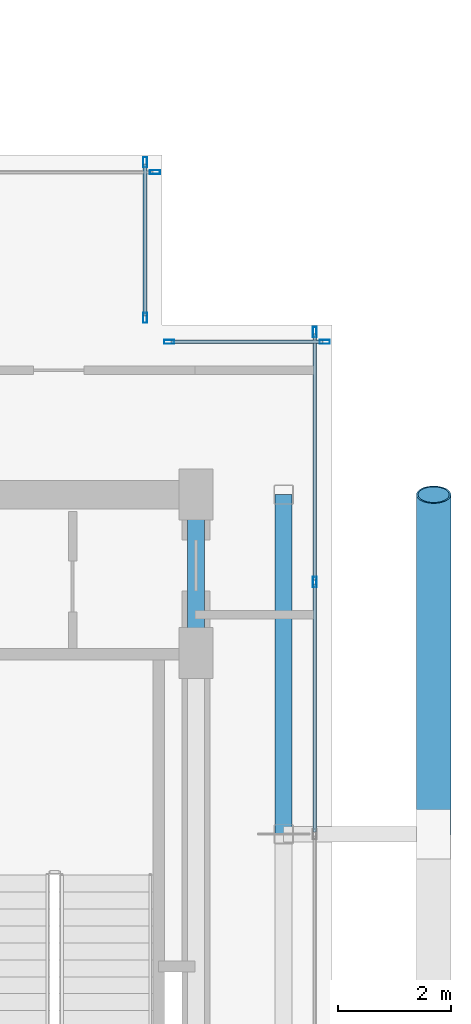
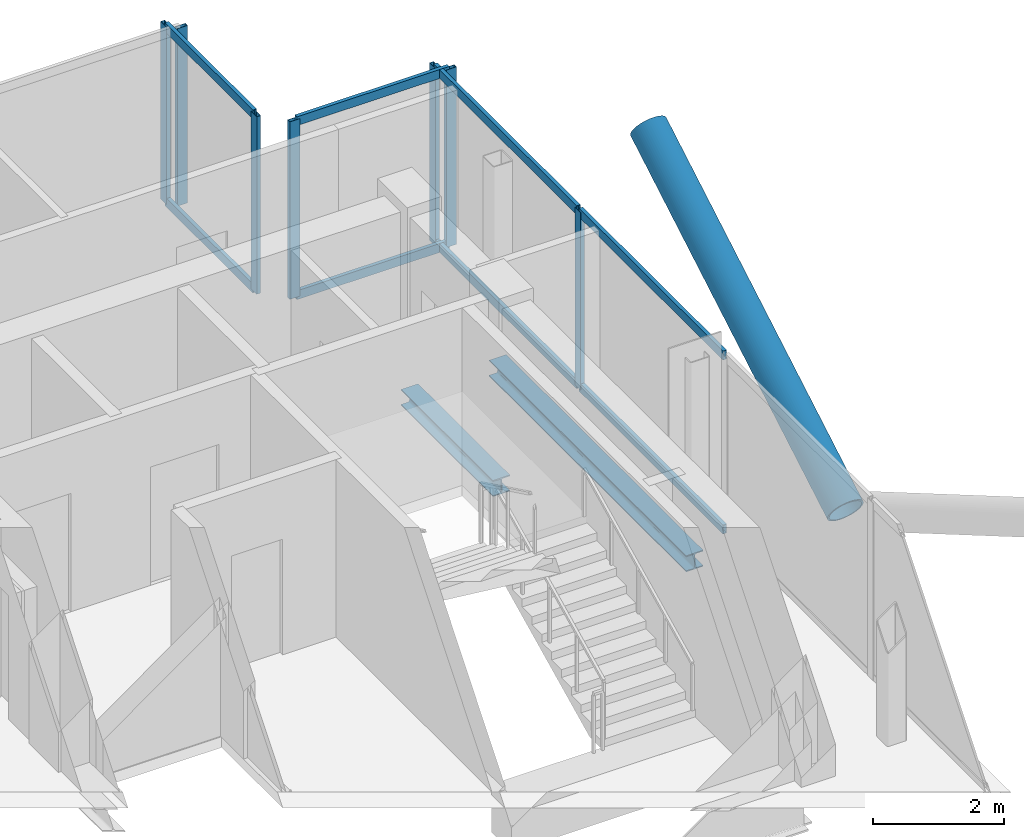
# One storey, part 12 of 18: 16 members, 2 beams, 4 elements without a shape of their own.
"""IFC4 building model written with IfcOpenShell, lengths in metres."""

from ifc_helpers import new_model, si_unit, direction, frame, origin, origin_2d, place, context, subcontext, project, spatial, hollow_rectangle, hollow_circle, i_section, extrude, material, layer, layer_set, material_profile, profile_set, type_object, element, aggregate, save


model = new_model("IFC4")

# Units and contexts
model_context = context("Model", 3, precision=1e-05, world=origin(), true_north=direction((0.0, 1.0)))
body_context = subcontext(model_context, "Body", "Model", "MODEL_VIEW")
ifc_project = project(units=[si_unit("LENGTHUNIT", "METRE"), si_unit("AREAUNIT", "SQUARE_METRE"), si_unit("VOLUMEUNIT", "CUBIC_METRE"), si_unit("PLANEANGLEUNIT", "RADIAN"), si_unit("MASSUNIT", "GRAM", prefix="KILO"), si_unit("THERMODYNAMICTEMPERATUREUNIT", "KELVIN"), si_unit("POWERUNIT", "WATT")], contexts=[model_context])

# Site, building, storey
site_placement = place(None, origin())
site = spatial("IfcSite", under=ifc_project, at=site_placement, CompositionType="ELEMENT")
building_placement = place(site_placement, origin())
building = spatial("IfcBuilding", under=site, at=building_placement, Name="Svarakhadi Broadcast Tower", CompositionType="ELEMENT")
storey_placement = place(building_placement, frame((0.0, 0.0, 267.699951171875)))
storey = spatial("IfcBuildingStorey", under=building, at=storey_placement, Name="L67", CompositionType="ELEMENT", Elevation=267.699951171875)

# Curtain wall, member
ifc_material_1 = material(Name="Anodised Bronze Aluminium AA 6063-T6", Category="aluminium")
ifc_layer = layer(ifc_material_1, 0.179931640625)
ifc_layer_set = layer_set([ifc_layer], Name="Anodised Bronze Aluminium AA 6063-T6")
curtain_wall_type = type_object("IfcCurtainWallType", Name="CW_Sys_05", PredefinedType="NOTDEFINED", material=ifc_layer_set)
curtain_wall_1_placement = place(storey_placement, origin())
curtain_wall_1 = element("IfcCurtainWall", 1, at=curtain_wall_1_placement, inside=storey, type_object=curtain_wall_type, Name="L67 Unitised Facade Curtain Wall 10", PredefinedType="NOTDEFINED")
ifc_material_profile_1 = material_profile(ifc_material_1, hollow_rectangle(XDim=0.070068359375, YDim=0.179931640625, WallThickness=0.005615234375, at=origin_2d()), Name="ALU MULLION 180x70x6")
ifc_profile_set_1 = profile_set([ifc_material_profile_1], Name="Anodised Bronze Aluminium AA 6063-T6")
member_type_1 = type_object("IfcMemberType", Name="CW_Sys_05_Mul", PredefinedType="MULLION", material=ifc_profile_set_1)
member_1_placement = place(storey_placement, frame((32.875, 23.699951171875, 0.0), z_axis=(0.0, 0.0, 1.0), x_axis=(0.0, 1.0, 0.0)))
member_1 = element("IfcMember", 2, at=member_1_placement, type_object=member_type_1, Name="CW-05 mullion 2", PredefinedType="MULLION", context=body_context, shape_type="SweptSolid", body=[
    extrude(hollow_rectangle(XDim=0.070068359375, YDim=0.179931640625, WallThickness=0.005615234375, at=origin_2d()), origin(), (0.0, 0.0, 1.0), 3.300048828125),
])
aggregate(curtain_wall_1, [member_1])

# Curtain wall, members
curtain_wall_2_placement = place(storey_placement, origin())
curtain_wall_2 = element("IfcCurtainWall", 3, at=curtain_wall_2_placement, inside=storey, type_object=curtain_wall_type, Name="L67 Unitised Facade Curtain Wall 11", PredefinedType="NOTDEFINED")
member_2_placement = place(storey_placement, frame((32.699951171875, 23.875, 0.0), z_axis=(0.0, 0.0, 1.0), x_axis=(1.0, 0.0, 0.0)))
member_2 = element("IfcMember", 4, at=member_2_placement, type_object=member_type_1, Name="CW-05 mullion 1", PredefinedType="MULLION", context=body_context, shape_type="SweptSolid", body=[
    extrude(hollow_rectangle(XDim=0.070068359375, YDim=0.179931640625, WallThickness=0.005615234375, at=origin_2d()), origin(), (0.0, 0.0, 1.0), 3.300048828125),
])
member_3_placement = place(storey_placement, frame((32.699951171875, 21.125, 0.0), z_axis=(0.0, 0.0, 1.0), x_axis=(1.0, 0.0, 0.0)))
member_3 = element("IfcMember", 5, at=member_3_placement, type_object=member_type_1, Name="CW-05 mullion 2", PredefinedType="MULLION", context=body_context, shape_type="SweptSolid", body=[
    extrude(hollow_rectangle(XDim=0.070068359375, YDim=0.179931640625, WallThickness=0.005615234375, at=origin_2d()), origin(), (0.0, 0.0, 1.0), 3.300048828125),
])

curtain_wall_3_placement = place(storey_placement, origin())
curtain_wall_3 = element("IfcCurtainWall", 6, at=curtain_wall_3_placement, inside=storey, type_object=curtain_wall_type, Name="L67 Unitised Facade Curtain Wall 12", PredefinedType="NOTDEFINED")
member_4_placement = place(storey_placement, frame((33.125, 20.699951171875, 0.0), z_axis=(0.0, 0.0, 1.0), x_axis=(0.0, 1.0, 0.0)))
member_4 = element("IfcMember", 7, at=member_4_placement, type_object=member_type_1, Name="CW-05 mullion 1", PredefinedType="MULLION", context=body_context, shape_type="SweptSolid", body=[
    extrude(hollow_rectangle(XDim=0.070068359375, YDim=0.179931640625, WallThickness=0.005615234375, at=origin_2d()), origin(), (0.0, 0.0, 1.0), 3.300048828125),
])
member_5_placement = place(storey_placement, frame((35.875, 20.699951171875, 0.0), z_axis=(0.0, 0.0, 1.0), x_axis=(0.0, 1.0, 0.0)))
member_5 = element("IfcMember", 8, at=member_5_placement, type_object=member_type_1, Name="CW-05 mullion 2", PredefinedType="MULLION", context=body_context, shape_type="SweptSolid", body=[
    extrude(hollow_rectangle(XDim=0.070068359375, YDim=0.179931640625, WallThickness=0.005615234375, at=origin_2d()), origin(), (0.0, 0.0, 1.0), 3.300048828125),
])

curtain_wall_4_placement = place(storey_placement, origin())
curtain_wall_4 = element("IfcCurtainWall", 9, at=curtain_wall_4_placement, inside=storey, type_object=curtain_wall_type, Name="L67 Unitised Facade Curtain Wall 13", PredefinedType="NOTDEFINED")
member_6_placement = place(storey_placement, frame((35.699951171875, 20.875, 0.0), z_axis=(0.0, 0.0, 1.0), x_axis=(1.0, 0.0, 0.0)))
member_6 = element("IfcMember", 10, at=member_6_placement, type_object=member_type_1, Name="CW-05 mullion 1", PredefinedType="MULLION", context=body_context, shape_type="SweptSolid", body=[
    extrude(hollow_rectangle(XDim=0.070068359375, YDim=0.179931640625, WallThickness=0.005615234375, at=origin_2d()), origin(), (0.0, 0.0, 1.0), 3.300048828125),
])
member_7_placement = place(storey_placement, frame((35.699951171875, 16.455078125, 0.0), z_axis=(0.0, 0.0, 1.0), x_axis=(1.0, 0.0, 0.0)))
member_7 = element("IfcMember", 11, at=member_7_placement, type_object=member_type_1, Name="CW-05 mullion 2", PredefinedType="MULLION", context=body_context, shape_type="SweptSolid", body=[
    extrude(hollow_rectangle(XDim=0.070068359375, YDim=0.179931640625, WallThickness=0.005615234375, at=origin_2d()), origin(), (0.0, 0.0, 1.0), 3.300048828125),
])

# Member
ifc_material_profile_2 = material_profile(ifc_material_1, hollow_rectangle(XDim=0.06494140625, YDim=0.1650390625, WallThickness=0.0048828125, at=origin_2d()), Name="ALU TRANSOM 165x65x5")
ifc_profile_set_2 = profile_set([ifc_material_profile_2], Name="Anodised Bronze Aluminium AA 6063-T6")
member_type_2 = type_object("IfcMemberType", Name="CW_Sys_05_Trn", PredefinedType="USERDEFINED", material=ifc_profile_set_2)
member_8_placement = place(storey_placement, frame((32.699951171875, 23.840087890625, 0.032470703125), z_axis=(0.0, -1.0, 0.0), x_axis=(1.0, 0.0, 0.0)))
member_8 = element("IfcMember", 12, at=member_8_placement, type_object=member_type_2, Name="CW-05 transom 1.1", ObjectType="TRANSOM", PredefinedType="USERDEFINED", context=body_context, shape_type="SweptSolid", body=[
    extrude(hollow_rectangle(XDim=0.06494140625, YDim=0.1650390625, WallThickness=0.0048828125, at=origin_2d()), origin(), (0.0, 0.0, 1.0), 2.68017578125),
])

member_9_placement = place(storey_placement, frame((32.699951171875, 23.840087890625, 3.267578125), z_axis=(0.0, -1.0, 0.0), x_axis=(1.0, 0.0, 0.0)))
member_9 = element("IfcMember", 13, at=member_9_placement, type_object=member_type_2, Name="CW-05 transom 1.2", ObjectType="TRANSOM", PredefinedType="USERDEFINED", context=body_context, shape_type="SweptSolid", body=[
    extrude(hollow_rectangle(XDim=0.06494140625, YDim=0.1650390625, WallThickness=0.0048828125, at=origin_2d()), origin(), (0.0, 0.0, 1.0), 2.68017578125),
])

aggregate(curtain_wall_2, [member_2, member_3, member_8, member_9])

member_10_placement = place(storey_placement, frame((33.159912109375, 20.699951171875, 0.032470703125), z_axis=(1.0, 0.0, 0.0), x_axis=(0.0, 1.0, 0.0)))
member_10 = element("IfcMember", 14, at=member_10_placement, type_object=member_type_2, Name="CW-05 transom 1.1", ObjectType="TRANSOM", PredefinedType="USERDEFINED", context=body_context, shape_type="SweptSolid", body=[
    extrude(hollow_rectangle(XDim=0.06494140625, YDim=0.1650390625, WallThickness=0.0048828125, at=origin_2d()), origin(), (0.0, 0.0, 1.0), 2.68017578125),
])

member_11_placement = place(storey_placement, frame((33.159912109375, 20.699951171875, 3.267578125), z_axis=(1.0, 0.0, 0.0), x_axis=(0.0, 1.0, 0.0)))
member_11 = element("IfcMember", 15, at=member_11_placement, type_object=member_type_2, Name="CW-05 transom 1.2", ObjectType="TRANSOM", PredefinedType="USERDEFINED", context=body_context, shape_type="SweptSolid", body=[
    extrude(hollow_rectangle(XDim=0.06494140625, YDim=0.1650390625, WallThickness=0.0048828125, at=origin_2d()), origin(), (0.0, 0.0, 1.0), 2.68017578125),
])

aggregate(curtain_wall_3, [member_4, member_5, member_10, member_11])

member_12_placement = place(storey_placement, frame((35.699951171875, 20.840087890625, 0.032470703125), z_axis=(0.0, -1.0, 0.0), x_axis=(1.0, 0.0, 0.0)))
member_12 = element("IfcMember", 16, at=member_12_placement, type_object=member_type_2, Name="CW-05 transom 1.1", ObjectType="TRANSOM", PredefinedType="USERDEFINED", context=body_context, shape_type="SweptSolid", body=[
    extrude(hollow_rectangle(XDim=0.06494140625, YDim=0.1650390625, WallThickness=0.0048828125, at=origin_2d()), origin(), (0.0, 0.0, 1.0), 4.35009765625),
])

member_13_placement = place(storey_placement, frame((35.699951171875, 20.840087890625, 3.267578125), z_axis=(0.0, -1.0, 0.0), x_axis=(1.0, 0.0, 0.0)))
member_13 = element("IfcMember", 17, at=member_13_placement, type_object=member_type_2, Name="CW-05 transom 1.2", ObjectType="TRANSOM", PredefinedType="USERDEFINED", context=body_context, shape_type="SweptSolid", body=[
    extrude(hollow_rectangle(XDim=0.06494140625, YDim=0.1650390625, WallThickness=0.0048828125, at=origin_2d()), origin(), (0.0, 0.0, 1.0), 4.35009765625),
])

member_14_placement = place(storey_placement, frame((35.699951171875, 16.419921875, 0.032470703125), z_axis=(0.0, -1.0, 0.0), x_axis=(1.0, 0.0, 0.0)))
member_14 = element("IfcMember", 18, at=member_14_placement, type_object=member_type_2, Name="CW-05 transom 2.1", ObjectType="TRANSOM", PredefinedType="USERDEFINED", context=body_context, shape_type="SweptSolid", body=[
    extrude(hollow_rectangle(XDim=0.06494140625, YDim=0.1650390625, WallThickness=0.0048828125, at=origin_2d()), origin(), (0.0, 0.0, 1.0), 4.385009765625),
])

member_15_placement = place(storey_placement, frame((35.699951171875, 16.419921875, 3.267578125), z_axis=(0.0, -1.0, 0.0), x_axis=(1.0, 0.0, 0.0)))
member_15 = element("IfcMember", 19, at=member_15_placement, type_object=member_type_2, Name="CW-05 transom 2.2", ObjectType="TRANSOM", PredefinedType="USERDEFINED", context=body_context, shape_type="SweptSolid", body=[
    extrude(hollow_rectangle(XDim=0.06494140625, YDim=0.1650390625, WallThickness=0.0048828125, at=origin_2d()), origin(), (0.0, 0.0, 1.0), 4.385009765625),
])

aggregate(curtain_wall_4, [member_6, member_7, member_12, member_13, member_14, member_15])

ifc_material_2 = material(Name="Steel S460ML (IS 2062 E450BR)", Category="steel")
ifc_material_profile_3 = material_profile(ifc_material_2, hollow_circle(Radius=0.304931640625, WallThickness=0.030029296875, at=origin_2d()), Name="CHS 610x30")
ifc_profile_set_3 = profile_set([ifc_material_profile_3], Name="Steel S460ML (IS 2062 E450BR)")
member_type_3 = type_object("IfcMemberType", Name="Exo_Brace_CHS610", PredefinedType="BRACE", material=ifc_profile_set_3)
member_16_placement = place(storey_placement, frame((37.800048828125, 12.0, -0.33642578125), z_axis=(0.0, 0.863778900898, 0.503871025524), x_axis=(-1.0, 0.0, 0.0)))
element("IfcMember", 20, at=member_16_placement, inside=storey, type_object=member_type_3, Name="L67 Exposed Bronze Exoskeleton Diagonal E03", PredefinedType="BRACE", context=body_context, shape_type="SweptSolid", body=[
    extrude(hollow_circle(Radius=0.304931640625, WallThickness=0.030029296875, at=origin_2d()), origin(), (0.0, 0.0, 1.0), 6.9462890625),
])

# Beams
ifc_material_3 = material(Name="Steel S355J2 (IS 2062 E350C)", Category="steel")
ifc_material_profile_4 = material_profile(ifc_material_3, i_section(OverallWidth=0.300048828125, OverallDepth=0.300048828125, WebThickness=0.010986328125, FlangeThickness=0.01904296875, FilletRadius=0.027099609375, at=origin_2d()), Name="WPB 300x300x117")
ifc_profile_set_4 = profile_set([ifc_material_profile_4], Name="Steel S355J2 (IS 2062 E350C)")
beam_type = type_object("IfcBeamType", Name="Girder_WPB300", PredefinedType="USERDEFINED", material=ifc_profile_set_4)
beam_1_placement = place(storey_placement, frame((33.60009765625, 15.199951171875, -0.349853515625), z_axis=(0.0, 1.0, 0.0), x_axis=(-1.0, 0.0, 0.0)))
element("IfcBeam", 21, at=beam_1_placement, inside=storey, type_object=beam_type, Name="L67 Primary N-S Girder G044", ObjectType="GIRDER", PredefinedType="USERDEFINED", context=body_context, shape_type="SweptSolid", body=[
    extrude(i_section(OverallWidth=0.300048828125, OverallDepth=0.300048828125, WebThickness=0.010986328125, FlangeThickness=0.01904296875, FilletRadius=0.027099609375, at=origin_2d()), origin(), (0.0, 0.0, 1.0), 2.800048828125),
])
beam_2_placement = place(storey_placement, frame((35.14990234375, 12.0, -0.349853515625), z_axis=(0.0, 1.0, 0.0), x_axis=(-1.0, 0.0, 0.0)))
element("IfcBeam", 22, at=beam_2_placement, inside=storey, type_object=beam_type, Name="L67 Primary N-S Girder G046", ObjectType="GIRDER", PredefinedType="USERDEFINED", context=body_context, shape_type="SweptSolid", body=[
    extrude(i_section(OverallWidth=0.300048828125, OverallDepth=0.300048828125, WebThickness=0.010986328125, FlangeThickness=0.01904296875, FilletRadius=0.027099609375, at=origin_2d()), origin(), (0.0, 0.0, 1.0), 6.0),
])

save(model, "model.ifc")
